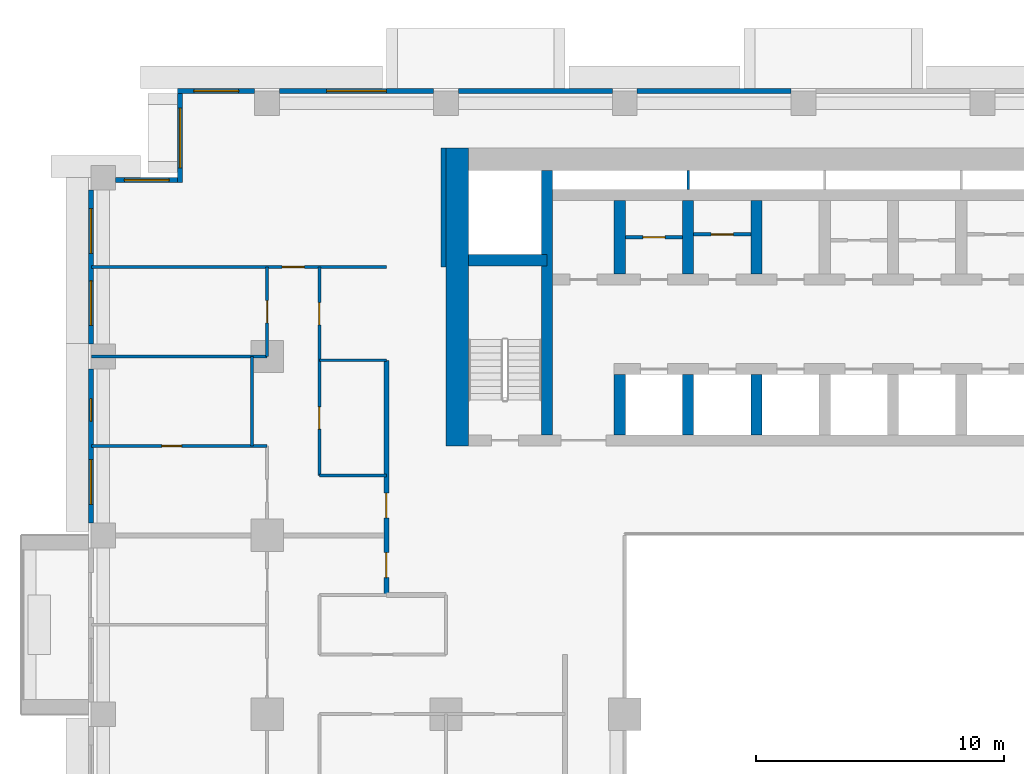
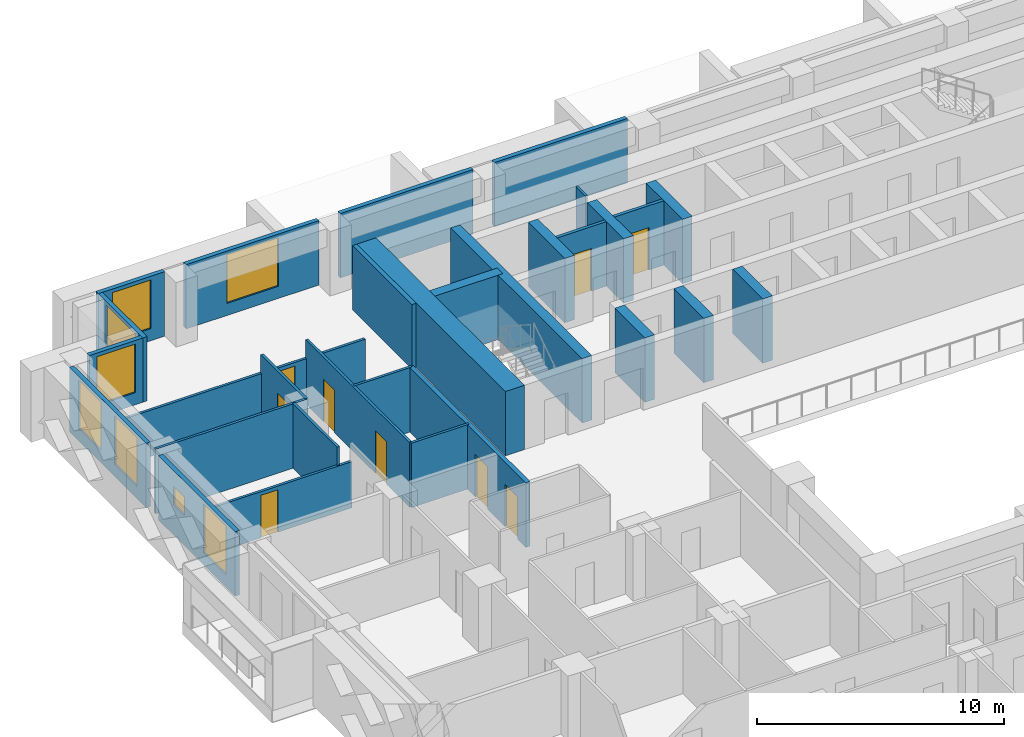
# One storey, part 9 of 16: 30 walls, 9 doors, 8 windows, 17 openings.
"""IFC4 building model written with IfcOpenShell, lengths in metres."""

from ifc_helpers import new_model, si_unit, direction, frame, frame_2d, origin, place, context, subcontext, project, spatial, rectangle, extrude, material, layer, layer_set, type_object, element, fill, save


model = new_model("IFC4")

# Units and contexts
model_context = context("Model", 3, precision=1e-05, world=origin(), true_north=direction((0.0, 1.0)))
body_context = subcontext(model_context, "Body", "Model", "MODEL_VIEW")
ifc_project = project(units=[si_unit("LENGTHUNIT", "METRE"), si_unit("AREAUNIT", "SQUARE_METRE"), si_unit("VOLUMEUNIT", "CUBIC_METRE"), si_unit("PLANEANGLEUNIT", "RADIAN"), si_unit("MASSUNIT", "GRAM", prefix="KILO")], contexts=[model_context])

# Site, building, storey
site_placement = place(None, origin())
site = spatial("IfcSite", under=ifc_project, at=site_placement, CompositionType="ELEMENT")
building_placement = place(site_placement, origin())
building = spatial("IfcBuilding", under=site, at=building_placement, Name="Saffron Iwan Residences", CompositionType="ELEMENT")
storey_placement = place(building_placement, frame((0.0, 0.0, 90.0)))
storey = spatial("IfcBuildingStorey", under=building, at=storey_placement, Name="L23", CompositionType="ELEMENT", Elevation=90.0)

# Wall, opening, door
ifc_material_1 = material(Name="Fire-rated plasterboard partition")
ifc_layer_1 = layer(ifc_material_1, 0.14990234375)
ifc_layer_set_1 = layer_set([ifc_layer_1], Name="Fire-rated plasterboard partition")
wall_type_1 = type_object("IfcWallType", Name="Core partition 150", PredefinedType="PARTITIONING", material=ifc_layer_set_1)
wall_1_placement = place(storey_placement, frame((36.02490234375, 74.39990234375, 0.0), z_axis=(0.0, 0.0, 1.0), x_axis=(1.0, 0.0, 0.0)))
wall_1 = element("IfcWall", 1, at=wall_1_placement, inside=storey, type_object=wall_type_1, Name="Core partition P01", PredefinedType="PARTITIONING", context=body_context, shape_type="SweptSolid", body=[
    extrude(rectangle(XDim=2.300048828125, YDim=0.14990234375, at=frame_2d((1.14990234375, 0.0))), origin(), (0.0, 0.0, 1.0), 3.179931640625),
])
opening_1_placement = place(wall_1_placement, frame((0.699951171875, 0.0, 0.0)))
opening_1 = element("IfcOpeningElement", 2, at=opening_1_placement, cuts=wall_1, Name="Opening SB", PredefinedType="OPENING", context=body_context, shape_type="SweptSolid", body=[
    extrude(rectangle(XDim=0.89990234375, YDim=2.10009765625, at=frame_2d((0.449951171875, 1.050048828125))), frame((0.0, 0.0849609375, 0.0), z_axis=(0.0, -1.0, 0.0), x_axis=(1.0, 0.0, 0.0)), (0.0, 0.0, 1.0), 0.169921875),
])
ifc_material_2 = material(Name="Steel fire door", Category="steel")
door_type_1 = type_object("IfcDoorType", Name="Store door 900", OperationType="NOTDEFINED", PredefinedType="DOOR", material=ifc_material_2)
door_1_placement = place(opening_1_placement, origin())
door_1 = element("IfcDoor", 3, at=door_1_placement, inside=storey, type_object=door_type_1, Name="Door Mop store", OperationType="SINGLE_SWING_LEFT", OverallHeight=2.10009765625, OverallWidth=0.89990234375, PredefinedType="DOOR", context=body_context, shape_type="SweptSolid", body=[
    extrude(rectangle(XDim=0.89990234375, YDim=2.10009765625, at=frame_2d((0.449951171875, 1.050048828125))), frame((0.0, 0.02490234375, 0.0), z_axis=(0.0, -1.0, 0.0), x_axis=(1.0, 0.0, 0.0)), (0.0, 0.0, 1.0), 0.050048828125),
])
fill(opening_1, door_1)

wall_2_placement = place(storey_placement, frame((38.77490234375, 74.51806640625, 0.0), z_axis=(0.0, 0.0, 1.0), x_axis=(1.0, 0.0, 0.0)))
wall_2 = element("IfcWall", 4, at=wall_2_placement, inside=storey, type_object=wall_type_1, Name="Core partition P02", PredefinedType="PARTITIONING", context=body_context, shape_type="SweptSolid", body=[
    extrude(rectangle(XDim=2.300048828125, YDim=0.14990234375, at=frame_2d((1.14990234375, 0.0))), origin(), (0.0, 0.0, 1.0), 3.179931640625),
])
opening_2_placement = place(wall_2_placement, frame((0.699951171875, 0.0, 0.0)))
opening_2 = element("IfcOpeningElement", 5, at=opening_2_placement, cuts=wall_2, Name="Opening SB", PredefinedType="OPENING", context=body_context, shape_type="SweptSolid", body=[
    extrude(rectangle(XDim=0.89990234375, YDim=2.10009765625, at=frame_2d((0.449951171875, 1.050048828125))), frame((0.0, 0.0849609375, 0.0), z_axis=(0.0, -1.0, 0.0), x_axis=(1.0, 0.0, 0.0)), (0.0, 0.0, 1.0), 0.169921875),
])
door_2_placement = place(opening_2_placement, origin())
door_2 = element("IfcDoor", 6, at=door_2_placement, inside=storey, type_object=door_type_1, Name="Door Spares store", OperationType="SINGLE_SWING_LEFT", OverallHeight=2.10009765625, OverallWidth=0.89990234375, PredefinedType="DOOR", context=body_context, shape_type="SweptSolid", body=[
    extrude(rectangle(XDim=0.89990234375, YDim=2.10009765625, at=frame_2d((0.449951171875, 1.050048828125))), frame((0.0, 0.02490234375, 0.0), z_axis=(0.0, -1.0, 0.0), x_axis=(1.0, 0.0, 0.0)), (0.0, 0.0, 1.0), 0.050048828125),
])
fill(opening_2, door_2)

# Walls
ifc_material_3 = material(Name="Concrete C40/50", Category="concrete")
ifc_layer_2 = layer(ifc_material_3, 0.199951171875)
ifc_layer_set_2 = layer_set([ifc_layer_2], Name="Concrete C40/50")
wall_type_2 = type_object("IfcWallType", Name="EXTERNAL WALL 200", PredefinedType="SOLIDWALL", material=ifc_layer_set_2)
for number, where, z_axis, x_axis, name in (
    (7, (42.699951171875, 80.300048828125, 0.0), (0.0, 0.0, 1.0), (-1.0, 0.0, 0.0), "External wall L23 F5.6"),
    (8, (35.5, 80.300048828125, 0.0), (0.0, 0.0, 1.0), (-1.0, 0.0, 0.0), "External wall L23 F5.7"),
):
    element("IfcWall", number, at=place(storey_placement, frame(where, z_axis=z_axis, x_axis=x_axis)), inside=storey, type_object=wall_type_2, Name=name, PredefinedType="SOLIDWALL", context=body_context, shape_type="SweptSolid", body=[
        extrude(rectangle(XDim=6.199951171875, YDim=0.199951171875, at=frame_2d((3.10009765625, 0.0))), origin(), (0.0, 0.0, 1.0), 3.179931640625),
    ])

# Wall, opening, window
wall_3_placement = place(storey_placement, frame((28.300048828125, 80.300048828125, 0.0), z_axis=(0.0, 0.0, 1.0), x_axis=(-1.0, 0.0, 0.0)))
wall_3 = element("IfcWall", 9, at=wall_3_placement, inside=storey, type_object=wall_type_2, Name="External wall L23 F5.8", PredefinedType="SOLIDWALL", context=body_context, shape_type="SweptSolid", body=[
    extrude(rectangle(XDim=6.199951171875, YDim=0.199951171875, at=frame_2d((3.10009765625, 0.0))), origin(), (0.0, 0.0, 1.0), 3.179931640625),
])
opening_3_placement = place(wall_3_placement, frame((1.89990234375, 0.0, 0.60009765625)))
opening_3 = element("IfcOpeningElement", 10, at=opening_3_placement, cuts=wall_3, Name="Opening W1", PredefinedType="OPENING", context=body_context, shape_type="SweptSolid", body=[
    extrude(rectangle(XDim=2.39990234375, YDim=2.39990234375, at=frame_2d((1.199951171875, 1.199951171875))), frame((0.0, 0.10986328125, 0.0), z_axis=(0.0, -1.0, 0.0), x_axis=(1.0, 0.0, 0.0)), (0.0, 0.0, 1.0), 0.219970703125),
])
ifc_material_4 = material(Name="Clear glass, laminated double glazed", Category="glass")
window_type_1 = type_object("IfcWindowType", Name="WINDOW 2400 x 2400", PartitioningType="DOUBLE_PANEL_VERTICAL", PredefinedType="WINDOW", material=ifc_material_4)
window_1_placement = place(opening_3_placement, origin())
window_1 = element("IfcWindow", 11, at=window_1_placement, inside=storey, type_object=window_type_1, Name="Window L23 F5.0", OverallHeight=2.39990234375, OverallWidth=2.39990234375, PartitioningType="DOUBLE_PANEL_VERTICAL", PredefinedType="WINDOW", context=body_context, shape_type="SweptSolid", body=[
    extrude(rectangle(XDim=2.39990234375, YDim=2.39990234375, at=frame_2d((1.199951171875, 1.199951171875))), frame((0.0, 0.030029296875, 0.0), z_axis=(0.0, -1.0, 0.0), x_axis=(1.0, 0.0, 0.0)), (0.0, 0.0, 1.0), 0.06005859375),
])
fill(opening_3, window_1)

wall_4_placement = place(storey_placement, frame((21.10009765625, 80.300048828125, 0.0), z_axis=(0.0, 0.0, 1.0), x_axis=(-1.0, 0.0, 0.0)))
wall_4 = element("IfcWall", 12, at=wall_4_placement, inside=storey, type_object=wall_type_2, Name="External wall L23 F5.9", PredefinedType="SOLIDWALL", context=body_context, shape_type="SweptSolid", body=[
    extrude(rectangle(XDim=3.10009765625, YDim=0.199951171875, at=frame_2d((1.550048828125, 0.0))), origin(), (0.0, 0.0, 1.0), 3.179931640625),
])
opening_4_placement = place(wall_4_placement, frame((0.64990234375, 0.0, 0.60009765625)))
opening_4 = element("IfcOpeningElement", 13, at=opening_4_placement, cuts=wall_4, Name="Opening W8", PredefinedType="OPENING", context=body_context, shape_type="SweptSolid", body=[
    extrude(rectangle(XDim=1.800048828125, YDim=2.39990234375, at=frame_2d((0.89990234375, 1.199951171875))), frame((0.0, 0.10986328125, 0.0), z_axis=(0.0, -1.0, 0.0), x_axis=(1.0, 0.0, 0.0)), (0.0, 0.0, 1.0), 0.219970703125),
])
window_type_2 = type_object("IfcWindowType", Name="WINDOW 1800 x 2400", PartitioningType="DOUBLE_PANEL_VERTICAL", PredefinedType="WINDOW", material=ifc_material_4)
window_2_placement = place(opening_4_placement, origin())
window_2 = element("IfcWindow", 14, at=window_2_placement, inside=storey, type_object=window_type_2, Name="Window L23 F5.0", OverallHeight=2.39990234375, OverallWidth=1.800048828125, PartitioningType="DOUBLE_PANEL_VERTICAL", PredefinedType="WINDOW", context=body_context, shape_type="SweptSolid", body=[
    extrude(rectangle(XDim=1.800048828125, YDim=2.39990234375, at=frame_2d((0.89990234375, 1.199951171875))), frame((0.0, 0.030029296875, 0.0), z_axis=(0.0, -1.0, 0.0), x_axis=(1.0, 0.0, 0.0)), (0.0, 0.0, 1.0), 0.06005859375),
])
fill(opening_4, window_2)

wall_5_placement = place(storey_placement, frame((18.10009765625, 80.199951171875, 0.0), z_axis=(0.0, 0.0, 1.0), x_axis=(0.0, -1.0, 0.0)))
wall_5 = element("IfcWall", 15, at=wall_5_placement, inside=storey, type_object=wall_type_2, Name="External wall L23 F6.0", PredefinedType="SOLIDWALL", context=body_context, shape_type="SweptSolid", body=[
    extrude(rectangle(XDim=3.599853515625, YDim=0.199951171875, at=frame_2d((1.7998046875, 0.0))), origin(), (0.0, 0.0, 1.0), 3.179931640625),
])
opening_5_placement = place(wall_5_placement, frame((0.60009765625, 0.0, 0.60009765625)))
opening_5 = element("IfcOpeningElement", 16, at=opening_5_placement, cuts=wall_5, Name="Opening W1", PredefinedType="OPENING", context=body_context, shape_type="SweptSolid", body=[
    extrude(rectangle(XDim=2.39990234375, YDim=2.39990234375, at=frame_2d((1.199951171875, 1.199951171875))), frame((0.0, 0.10986328125, 0.0), z_axis=(0.0, -1.0, 0.0), x_axis=(1.0, 0.0, 0.0)), (0.0, 0.0, 1.0), 0.219970703125),
])
window_3_placement = place(opening_5_placement, origin())
window_3 = element("IfcWindow", 17, at=window_3_placement, inside=storey, type_object=window_type_1, Name="Window L23 F6.0", OverallHeight=2.39990234375, OverallWidth=2.39990234375, PartitioningType="DOUBLE_PANEL_VERTICAL", PredefinedType="WINDOW", context=body_context, shape_type="SweptSolid", body=[
    extrude(rectangle(XDim=2.39990234375, YDim=2.39990234375, at=frame_2d((1.199951171875, 1.199951171875))), frame((0.0, 0.030029296875, 0.0), z_axis=(0.0, -1.0, 0.0), x_axis=(1.0, 0.0, 0.0)), (0.0, 0.0, 1.0), 0.06005859375),
])
fill(opening_5, window_3)

wall_6_placement = place(storey_placement, frame((18.0, 76.699951171875, 0.0), z_axis=(0.0, 0.0, 1.0), x_axis=(-1.0, 0.0, 0.0)))
wall_6 = element("IfcWall", 18, at=wall_6_placement, inside=storey, type_object=wall_type_2, Name="External wall L23 F7.0", PredefinedType="SOLIDWALL", context=body_context, shape_type="SweptSolid", body=[
    extrude(rectangle(XDim=2.5, YDim=0.199951171875, at=frame_2d((1.25, 0.0))), origin(), (0.0, 0.0, 1.0), 3.179931640625),
])
opening_6_placement = place(wall_6_placement, frame((0.35009765625, 0.0, 0.60009765625)))
opening_6 = element("IfcOpeningElement", 19, at=opening_6_placement, cuts=wall_6, Name="Opening W8", PredefinedType="OPENING", context=body_context, shape_type="SweptSolid", body=[
    extrude(rectangle(XDim=1.800048828125, YDim=2.39990234375, at=frame_2d((0.89990234375, 1.199951171875))), frame((0.0, 0.10986328125, 0.0), z_axis=(0.0, -1.0, 0.0), x_axis=(1.0, 0.0, 0.0)), (0.0, 0.0, 1.0), 0.219970703125),
])
window_4_placement = place(opening_6_placement, origin())
window_4 = element("IfcWindow", 20, at=window_4_placement, inside=storey, type_object=window_type_2, Name="Window L23 F7.0", OverallHeight=2.39990234375, OverallWidth=1.800048828125, PartitioningType="DOUBLE_PANEL_VERTICAL", PredefinedType="WINDOW", context=body_context, shape_type="SweptSolid", body=[
    extrude(rectangle(XDim=1.800048828125, YDim=2.39990234375, at=frame_2d((0.89990234375, 1.199951171875))), frame((0.0, 0.030029296875, 0.0), z_axis=(0.0, -1.0, 0.0), x_axis=(1.0, 0.0, 0.0)), (0.0, 0.0, 1.0), 0.06005859375),
])
fill(opening_6, window_4)

# Wall, openings, windows
wall_7_placement = place(storey_placement, frame((14.5, 76.300048828125, 0.0), z_axis=(0.0, 0.0, 1.0), x_axis=(0.0, -1.0, 0.0)))
wall_7 = element("IfcWall", 21, at=wall_7_placement, inside=storey, type_object=wall_type_2, Name="External wall L23 F8.0", PredefinedType="SOLIDWALL", context=body_context, shape_type="SweptSolid", body=[
    extrude(rectangle(XDim=6.199951171875, YDim=0.199951171875, at=frame_2d((3.10009765625, 0.0))), origin(), (0.0, 0.0, 1.0), 3.179931640625),
])
opening_7_placement = place(wall_7_placement, frame((3.64990234375, 0.0, 0.60009765625)))
opening_7 = element("IfcOpeningElement", 22, at=opening_7_placement, cuts=wall_7, Name="Opening W8", PredefinedType="OPENING", context=body_context, shape_type="SweptSolid", body=[
    extrude(rectangle(XDim=1.800048828125, YDim=2.39990234375, at=frame_2d((0.89990234375, 1.199951171875))), frame((0.0, 0.10986328125, 0.0), z_axis=(0.0, -1.0, 0.0), x_axis=(1.0, 0.0, 0.0)), (0.0, 0.0, 1.0), 0.219970703125),
])
opening_8_placement = place(wall_7_placement, frame((0.75, 0.0, 0.60009765625)))
opening_8 = element("IfcOpeningElement", 23, at=opening_8_placement, cuts=wall_7, Name="Opening W8", PredefinedType="OPENING", context=body_context, shape_type="SweptSolid", body=[
    extrude(rectangle(XDim=1.800048828125, YDim=2.39990234375, at=frame_2d((0.89990234375, 1.199951171875))), frame((0.0, 0.10986328125, 0.0), z_axis=(0.0, -1.0, 0.0), x_axis=(1.0, 0.0, 0.0)), (0.0, 0.0, 1.0), 0.219970703125),
])
window_5_placement = place(opening_7_placement, origin())
window_5 = element("IfcWindow", 24, at=window_5_placement, inside=storey, type_object=window_type_2, Name="Window L23 F8.0", OverallHeight=2.39990234375, OverallWidth=1.800048828125, PartitioningType="DOUBLE_PANEL_VERTICAL", PredefinedType="WINDOW", context=body_context, shape_type="SweptSolid", body=[
    extrude(rectangle(XDim=1.800048828125, YDim=2.39990234375, at=frame_2d((0.89990234375, 1.199951171875))), frame((0.0, 0.030029296875, 0.0), z_axis=(0.0, -1.0, 0.0), x_axis=(1.0, 0.0, 0.0)), (0.0, 0.0, 1.0), 0.06005859375),
])
fill(opening_7, window_5)
window_6_placement = place(opening_8_placement, origin())
window_6 = element("IfcWindow", 25, at=window_6_placement, inside=storey, type_object=window_type_2, Name="Window L23 F8.1", OverallHeight=2.39990234375, OverallWidth=1.800048828125, PartitioningType="DOUBLE_PANEL_VERTICAL", PredefinedType="WINDOW", context=body_context, shape_type="SweptSolid", body=[
    extrude(rectangle(XDim=1.800048828125, YDim=2.39990234375, at=frame_2d((0.89990234375, 1.199951171875))), frame((0.0, 0.030029296875, 0.0), z_axis=(0.0, -1.0, 0.0), x_axis=(1.0, 0.0, 0.0)), (0.0, 0.0, 1.0), 0.06005859375),
])
fill(opening_8, window_6)

wall_8_placement = place(storey_placement, frame((14.5, 69.10009765625, 0.0), z_axis=(0.0, 0.0, 1.0), x_axis=(0.0, -1.0, 0.0)))
wall_8 = element("IfcWall", 26, at=wall_8_placement, inside=storey, type_object=wall_type_2, Name="External wall L23 F8.1", PredefinedType="SOLIDWALL", context=body_context, shape_type="SweptSolid", body=[
    extrude(rectangle(XDim=6.2001953125, YDim=0.199951171875, at=frame_2d((3.10009765625, 0.0))), origin(), (0.0, 0.0, 1.0), 3.179931640625),
])
opening_9_placement = place(wall_8_placement, frame((3.64990234375, 0.0, 0.60009765625)))
opening_9 = element("IfcOpeningElement", 27, at=opening_9_placement, cuts=wall_8, Name="Opening W8", PredefinedType="OPENING", context=body_context, shape_type="SweptSolid", body=[
    extrude(rectangle(XDim=1.800048828125, YDim=2.39990234375, at=frame_2d((0.89990234375, 1.199951171875))), frame((0.0, 0.10986328125, 0.0), z_axis=(0.0, -1.0, 0.0), x_axis=(1.0, 0.0, 0.0)), (0.0, 0.0, 1.0), 0.219970703125),
])
opening_10_placement = place(wall_8_placement, frame((1.199951171875, 0.0, 1.5)))
opening_10 = element("IfcOpeningElement", 28, at=opening_10_placement, cuts=wall_8, Name="Opening W6", PredefinedType="OPENING", context=body_context, shape_type="SweptSolid", body=[
    extrude(rectangle(XDim=0.89990234375, YDim=0.89990234375, at=frame_2d((0.449951171875, 0.449951171875))), frame((0.0, 0.10986328125, 0.0), z_axis=(0.0, -1.0, 0.0), x_axis=(1.0, 0.0, 0.0)), (0.0, 0.0, 1.0), 0.219970703125),
])
window_7_placement = place(opening_9_placement, origin())
window_7 = element("IfcWindow", 29, at=window_7_placement, inside=storey, type_object=window_type_2, Name="Window L23 F8.0", OverallHeight=2.39990234375, OverallWidth=1.800048828125, PartitioningType="DOUBLE_PANEL_VERTICAL", PredefinedType="WINDOW", context=body_context, shape_type="SweptSolid", body=[
    extrude(rectangle(XDim=1.800048828125, YDim=2.39990234375, at=frame_2d((0.89990234375, 1.199951171875))), frame((0.0, 0.030029296875, 0.0), z_axis=(0.0, -1.0, 0.0), x_axis=(1.0, 0.0, 0.0)), (0.0, 0.0, 1.0), 0.06005859375),
])
fill(opening_9, window_7)
window_type_3 = type_object("IfcWindowType", Name="WINDOW 900 x 900 BATH", PartitioningType="SINGLE_PANEL", PredefinedType="WINDOW", material=ifc_material_4)
window_8_placement = place(opening_10_placement, origin())
window_8 = element("IfcWindow", 30, at=window_8_placement, inside=storey, type_object=window_type_3, Name="Window L23 F8.1", OverallHeight=0.89990234375, OverallWidth=0.89990234375, PartitioningType="SINGLE_PANEL", PredefinedType="WINDOW", context=body_context, shape_type="SweptSolid", body=[
    extrude(rectangle(XDim=0.89990234375, YDim=0.89990234375, at=frame_2d((0.449951171875, 0.449951171875))), frame((0.0, 0.030029296875, 0.0), z_axis=(0.0, -1.0, 0.0), x_axis=(1.0, 0.0, 0.0)), (0.0, 0.0, 1.0), 0.06005859375),
])
fill(opening_10, window_8)

# Wall
ifc_material_5 = material(Name="Gypsum board partition")
ifc_layer_3 = layer(ifc_material_5, 0.1201171875)
ifc_layer_set_3 = layer_set([ifc_layer_3], Name="Gypsum board partition")
wall_type_3 = type_object("IfcWallType", Name="Flat partition 120", PredefinedType="PARTITIONING", material=ifc_layer_set_3)
wall_9_placement = place(storey_placement, frame((23.699951171875, 64.800048828125, 0.0), z_axis=(0.0, 0.0, 1.0), x_axis=(1.0, 0.0, 0.0)))
element("IfcWall", 31, at=wall_9_placement, inside=storey, type_object=wall_type_3, Name="W-L23-PART-h64.8-23.7", PredefinedType="PARTITIONING", context=body_context, shape_type="SweptSolid", body=[
    extrude(rectangle(XDim=2.699951171875, YDim=0.1201171875, at=frame_2d((1.35009765625, 0.0))), origin(), (0.0, 0.0, 1.0), 3.179931640625),
])

# Wall, opening, door
wall_10_placement = place(storey_placement, frame((14.52490234375, 66.0, 0.0), z_axis=(0.0, 0.0, 1.0), x_axis=(1.0, 0.0, 0.0)))
wall_10 = element("IfcWall", 32, at=wall_10_placement, inside=storey, type_object=wall_type_3, Name="W-L23-PART-h66-14.525", PredefinedType="PARTITIONING", context=body_context, shape_type="SweptSolid", body=[
    extrude(rectangle(XDim=7.0751953125, YDim=0.1201171875, at=frame_2d((3.53759765625, 0.0))), origin(), (0.0, 0.0, 1.0), 2.280029296875),
])
opening_11_placement = place(wall_10_placement, frame((2.83740234375, 0.0, 0.0)))
opening_11 = element("IfcOpeningElement", 33, at=opening_11_placement, cuts=wall_10, Name="Opening FD3", PredefinedType="OPENING", context=body_context, shape_type="SweptSolid", body=[
    extrude(rectangle(XDim=0.800048828125, YDim=2.10009765625, at=frame_2d((0.39990234375, 1.050048828125))), frame((0.0, 0.070068359375, 0.0), z_axis=(0.0, -1.0, 0.0), x_axis=(1.0, 0.0, 0.0)), (0.0, 0.0, 1.0), 0.14013671875),
])
ifc_material_6 = material(Name="Timber door", Category="wood")
door_type_2 = type_object("IfcDoorType", Name="Bathroom door 800", OperationType="NOTDEFINED", PredefinedType="DOOR", material=ifc_material_6)
door_3_placement = place(opening_11_placement, origin())
door_3 = element("IfcDoor", 34, at=door_3_placement, inside=storey, type_object=door_type_2, Name="Door L23-029", OperationType="SINGLE_SWING_RIGHT", OverallHeight=2.10009765625, OverallWidth=0.800048828125, PredefinedType="DOOR", context=body_context, shape_type="SweptSolid", body=[
    extrude(rectangle(XDim=0.800048828125, YDim=2.10009765625, at=frame_2d((0.39990234375, 1.050048828125))), frame((0.0, 0.02490234375, 0.0), z_axis=(0.0, -1.0, 0.0), x_axis=(1.0, 0.0, 0.0)), (0.0, 0.0, 1.0), 0.050048828125),
])
fill(opening_11, door_3)

# Walls
wall_11_placement = place(storey_placement, frame((23.699951171875, 69.449951171875, 0.0), z_axis=(0.0, 0.0, 1.0), x_axis=(1.0, 0.0, 0.0)))
element("IfcWall", 35, at=wall_11_placement, inside=storey, type_object=wall_type_3, Name="W-L23-PART-h69.45-23.7", PredefinedType="PARTITIONING", context=body_context, shape_type="SweptSolid", body=[
    extrude(rectangle(XDim=2.699951171875, YDim=0.1201171875, at=frame_2d((1.35009765625, 0.0))), origin(), (0.0, 0.0, 1.0), 3.179931640625),
])
wall_12_placement = place(storey_placement, frame((14.52490234375, 69.60009765625, 0.0), z_axis=(0.0, 0.0, 1.0), x_axis=(1.0, 0.0, 0.0)))
element("IfcWall", 36, at=wall_12_placement, inside=storey, type_object=wall_type_3, Name="W-L23-PART-h69.6-14.525", PredefinedType="PARTITIONING", context=body_context, shape_type="SweptSolid", body=[
    extrude(rectangle(XDim=7.0751953125, YDim=0.1201171875, at=frame_2d((3.53759765625, 0.0))), origin(), (0.0, 0.0, 1.0), 3.179931640625),
])

# Wall, opening, door
wall_13_placement = place(storey_placement, frame((14.52490234375, 73.199951171875, 0.0), z_axis=(0.0, 0.0, 1.0), x_axis=(1.0, 0.0, 0.0)))
wall_13 = element("IfcWall", 37, at=wall_13_placement, inside=storey, type_object=wall_type_3, Name="W-L23-PART-h73.2-14.525", PredefinedType="PARTITIONING", context=body_context, shape_type="SweptSolid", body=[
    extrude(rectangle(XDim=11.875, YDim=0.1201171875, at=frame_2d((5.9375, 0.0))), origin(), (0.0, 0.0, 1.0), 2.280029296875),
])
opening_12_placement = place(wall_13_placement, frame((7.675048828125, 0.0, 0.0)))
opening_12 = element("IfcOpeningElement", 38, at=opening_12_placement, cuts=wall_13, Name="Opening FD2", PredefinedType="OPENING", context=body_context, shape_type="SweptSolid", body=[
    extrude(rectangle(XDim=0.89990234375, YDim=2.10009765625, at=frame_2d((0.449951171875, 1.050048828125))), frame((0.0, 0.070068359375, 0.0), z_axis=(0.0, -1.0, 0.0), x_axis=(1.0, 0.0, 0.0)), (0.0, 0.0, 1.0), 0.14013671875),
])
door_type_3 = type_object("IfcDoorType", Name="Flat door 900", OperationType="NOTDEFINED", PredefinedType="DOOR", material=ifc_material_6)
door_4_placement = place(opening_12_placement, origin())
door_4 = element("IfcDoor", 39, at=door_4_placement, inside=storey, type_object=door_type_3, Name="Door L23-031", OperationType="SINGLE_SWING_LEFT", OverallHeight=2.10009765625, OverallWidth=0.89990234375, PredefinedType="DOOR", context=body_context, shape_type="SweptSolid", body=[
    extrude(rectangle(XDim=0.89990234375, YDim=2.10009765625, at=frame_2d((0.449951171875, 1.050048828125))), frame((0.0, 0.02490234375, 0.0), z_axis=(0.0, -1.0, 0.0), x_axis=(1.0, 0.0, 0.0)), (0.0, 0.0, 1.0), 0.050048828125),
])
fill(opening_12, door_4)

# Wall
wall_14_placement = place(storey_placement, frame((21.0, 66.0, 0.0), z_axis=(0.0, 0.0, 1.0), x_axis=(0.0, 1.0, 0.0)))
element("IfcWall", 40, at=wall_14_placement, inside=storey, type_object=wall_type_3, Name="W-L23-PART-v21-66", PredefinedType="PARTITIONING", context=body_context, shape_type="SweptSolid", body=[
    extrude(rectangle(XDim=3.60009765625, YDim=0.1201171875, at=frame_2d((1.800048828125, 0.0))), origin(), (0.0, 0.0, 1.0), 3.179931640625),
])

# Wall, opening, door
wall_15_placement = place(storey_placement, frame((21.60009765625, 69.60009765625, 0.0), z_axis=(0.0, 0.0, 1.0), x_axis=(0.0, 1.0, 0.0)))
wall_15 = element("IfcWall", 41, at=wall_15_placement, inside=storey, type_object=wall_type_3, Name="W-L23-PART-v21.6-69.6", PredefinedType="PARTITIONING", context=body_context, shape_type="SweptSolid", body=[
    extrude(rectangle(XDim=3.599853515625, YDim=0.1201171875, at=frame_2d((1.7998046875, 0.0))), origin(), (0.0, 0.0, 1.0), 3.179931640625),
])
opening_13_placement = place(wall_15_placement, frame((1.35009765625, 0.0, 0.0)))
opening_13 = element("IfcOpeningElement", 42, at=opening_13_placement, cuts=wall_15, Name="Opening FD2", PredefinedType="OPENING", context=body_context, shape_type="SweptSolid", body=[
    extrude(rectangle(XDim=0.89990234375, YDim=2.10009765625, at=frame_2d((0.449951171875, 1.050048828125))), frame((0.0, 0.070068359375, 0.0), z_axis=(0.0, -1.0, 0.0), x_axis=(1.0, 0.0, 0.0)), (0.0, 0.0, 1.0), 0.14013671875),
])
door_5_placement = place(opening_13_placement, origin())
door_5 = element("IfcDoor", 43, at=door_5_placement, inside=storey, type_object=door_type_3, Name="Door L23-030", OperationType="SINGLE_SWING_LEFT", OverallHeight=2.10009765625, OverallWidth=0.89990234375, PredefinedType="DOOR", context=body_context, shape_type="SweptSolid", body=[
    extrude(rectangle(XDim=0.89990234375, YDim=2.10009765625, at=frame_2d((0.449951171875, 1.050048828125))), frame((0.0, 0.02490234375, 0.0), z_axis=(0.0, -1.0, 0.0), x_axis=(1.0, 0.0, 0.0)), (0.0, 0.0, 1.0), 0.050048828125),
])
fill(opening_13, door_5)

# Wall, openings, doors
wall_16_placement = place(storey_placement, frame((23.699951171875, 64.800048828125, 0.0), z_axis=(0.0, 0.0, 1.0), x_axis=(0.0, 1.0, 0.0)))
wall_16 = element("IfcWall", 44, at=wall_16_placement, inside=storey, type_object=wall_type_3, Name="W-L23-PART-v23.7-64.8", PredefinedType="PARTITIONING", context=body_context, shape_type="SweptSolid", body=[
    extrude(rectangle(XDim=8.39990234375, YDim=0.1201171875, at=frame_2d((4.199951171875, 0.0))), origin(), (0.0, 0.0, 1.0), 3.179931640625),
])
opening_14_placement = place(wall_16_placement, frame((1.875, 0.0, 0.0)))
opening_14 = element("IfcOpeningElement", 45, at=opening_14_placement, cuts=wall_16, Name="Opening FD2", PredefinedType="OPENING", context=body_context, shape_type="SweptSolid", body=[
    extrude(rectangle(XDim=0.89990234375, YDim=2.10009765625, at=frame_2d((0.449951171875, 1.050048828125))), frame((0.0, 0.070068359375, 0.0), z_axis=(0.0, -1.0, 0.0), x_axis=(1.0, 0.0, 0.0)), (0.0, 0.0, 1.0), 0.14013671875),
])
opening_15_placement = place(wall_16_placement, frame((6.074951171875, 0.0, 0.0)))
opening_15 = element("IfcOpeningElement", 46, at=opening_15_placement, cuts=wall_16, Name="Opening FD2", PredefinedType="OPENING", context=body_context, shape_type="SweptSolid", body=[
    extrude(rectangle(XDim=0.89990234375, YDim=2.10009765625, at=frame_2d((0.449951171875, 1.050048828125))), frame((0.0, 0.070068359375, 0.0), z_axis=(0.0, -1.0, 0.0), x_axis=(1.0, 0.0, 0.0)), (0.0, 0.0, 1.0), 0.14013671875),
])
door_6_placement = place(opening_14_placement, origin())
door_6 = element("IfcDoor", 47, at=door_6_placement, inside=storey, type_object=door_type_3, Name="Door L23-032", OperationType="SINGLE_SWING_RIGHT", OverallHeight=2.10009765625, OverallWidth=0.89990234375, PredefinedType="DOOR", context=body_context, shape_type="SweptSolid", body=[
    extrude(rectangle(XDim=0.89990234375, YDim=2.10009765625, at=frame_2d((0.449951171875, 1.050048828125))), frame((0.0, 0.02490234375, 0.0), z_axis=(0.0, -1.0, 0.0), x_axis=(1.0, 0.0, 0.0)), (0.0, 0.0, 1.0), 0.050048828125),
])
fill(opening_14, door_6)
door_7_placement = place(opening_15_placement, origin())
door_7 = element("IfcDoor", 48, at=door_7_placement, inside=storey, type_object=door_type_3, Name="Door L23-033", OperationType="SINGLE_SWING_LEFT", OverallHeight=2.10009765625, OverallWidth=0.89990234375, PredefinedType="DOOR", context=body_context, shape_type="SweptSolid", body=[
    extrude(rectangle(XDim=0.89990234375, YDim=2.10009765625, at=frame_2d((0.449951171875, 1.050048828125))), frame((0.0, 0.02490234375, 0.0), z_axis=(0.0, -1.0, 0.0), x_axis=(1.0, 0.0, 0.0)), (0.0, 0.0, 1.0), 0.050048828125),
])
fill(opening_15, door_7)

ifc_material_7 = material(Name="Fire-rated gypsum board wall")
ifc_layer_4 = layer(ifc_material_7, 0.199951171875)
ifc_layer_set_4 = layer_set([ifc_layer_4], Name="Fire-rated gypsum board wall")
wall_type_4 = type_object("IfcWallType", Name="Gallery wall 200", PredefinedType="SOLIDWALL", material=ifc_layer_set_4)
wall_17_placement = place(storey_placement, frame((26.39990234375, 60.0, 0.0), z_axis=(0.0, 0.0, 1.0), x_axis=(0.0, 1.0, 0.0)))
wall_17 = element("IfcWall", 49, at=wall_17_placement, inside=storey, type_object=wall_type_4, Name="W-L23-CORR-v26.4-60", PredefinedType="SOLIDWALL", context=body_context, shape_type="SweptSolid", body=[
    extrude(rectangle(XDim=9.449951171875, YDim=0.199951171875, at=frame_2d((4.72509765625, 0.0))), origin(), (0.0, 0.0, 1.0), 3.179931640625),
])
opening_16_placement = place(wall_17_placement, frame((0.699951171875, 0.0, 0.0)))
opening_16 = element("IfcOpeningElement", 50, at=opening_16_placement, cuts=wall_17, Name="Opening FD1", PredefinedType="OPENING", context=body_context, shape_type="SweptSolid", body=[
    extrude(rectangle(XDim=1.0, YDim=2.10009765625, at=frame_2d((0.5, 1.050048828125))), frame((0.0, 0.10986328125, 0.0), z_axis=(0.0, -1.0, 0.0), x_axis=(1.0, 0.0, 0.0)), (0.0, 0.0, 1.0), 0.219970703125),
])
opening_17_placement = place(wall_17_placement, frame((3.10009765625, 0.0, 0.0)))
opening_17 = element("IfcOpeningElement", 51, at=opening_17_placement, cuts=wall_17, Name="Opening FD1", PredefinedType="OPENING", context=body_context, shape_type="SweptSolid", body=[
    extrude(rectangle(XDim=1.0, YDim=2.10009765625, at=frame_2d((0.5, 1.050048828125))), frame((0.0, 0.10986328125, 0.0), z_axis=(0.0, -1.0, 0.0), x_axis=(1.0, 0.0, 0.0)), (0.0, 0.0, 1.0), 0.219970703125),
])
ifc_material_8 = material(Name="Fire-rated timber door", Category="wood")
door_type_4 = type_object("IfcDoorType", Name="FD30S flat entrance door 1000", OperationType="NOTDEFINED", PredefinedType="DOOR", material=ifc_material_8)
door_8_placement = place(opening_16_placement, origin())
door_8 = element("IfcDoor", 52, at=door_8_placement, inside=storey, type_object=door_type_4, Name="Door L23-013", OperationType="SINGLE_SWING_LEFT", OverallHeight=2.10009765625, OverallWidth=1.0, PredefinedType="DOOR", context=body_context, shape_type="SweptSolid", body=[
    extrude(rectangle(XDim=1.0, YDim=2.10009765625, at=frame_2d((0.5, 1.050048828125))), frame((0.0, 0.02490234375, 0.0), z_axis=(0.0, -1.0, 0.0), x_axis=(1.0, 0.0, 0.0)), (0.0, 0.0, 1.0), 0.050048828125),
])
fill(opening_16, door_8)
door_9_placement = place(opening_17_placement, origin())
door_9 = element("IfcDoor", 53, at=door_9_placement, inside=storey, type_object=door_type_4, Name="Door L23-027", OperationType="SINGLE_SWING_LEFT", OverallHeight=2.10009765625, OverallWidth=1.0, PredefinedType="DOOR", context=body_context, shape_type="SweptSolid", body=[
    extrude(rectangle(XDim=1.0, YDim=2.10009765625, at=frame_2d((0.5, 1.050048828125))), frame((0.0, 0.02490234375, 0.0), z_axis=(0.0, -1.0, 0.0), x_axis=(1.0, 0.0, 0.0)), (0.0, 0.0, 1.0), 0.050048828125),
])
fill(opening_17, door_9)

# Walls
wall_18_placement = place(storey_placement, frame((28.699951171875, 73.199951171875, 0.0), z_axis=(0.0, 0.0, 1.0), x_axis=(0.0, 1.0, 0.0)))
element("IfcWall", 54, at=wall_18_placement, inside=storey, type_object=wall_type_4, Name="W-L23-CORR-v28.8-73.2", PredefinedType="SOLIDWALL", context=body_context, shape_type="SweptSolid", body=[
    extrude(rectangle(XDim=4.800048828125, YDim=0.199951171875, at=frame_2d((2.39990234375, 0.0))), origin(), (0.0, 0.0, 1.0), 3.179931640625),
])
ifc_layer_5 = layer(ifc_material_1, 0.10009765625)
ifc_layer_set_5 = layer_set([ifc_layer_5], Name="Fire-rated plasterboard partition")
wall_type_5 = type_object("IfcWallType", Name="Riser partition 100", PredefinedType="PARTITIONING", material=ifc_layer_set_5)
wall_19_placement = place(storey_placement, frame((38.550048828125, 76.324951171875, 0.0), z_axis=(0.0, 0.0, 1.0), x_axis=(0.0, 1.0, 0.0)))
element("IfcWall", 55, at=wall_19_placement, inside=storey, type_object=wall_type_5, Name="Core partition P06", PredefinedType="PARTITIONING", context=body_context, shape_type="SweptSolid", body=[
    extrude(rectangle(XDim=0.775146484375, YDim=0.10009765625, at=frame_2d((0.3876953125, 0.0))), origin(), (0.0, 0.0, 1.0), 3.179931640625),
])
ifc_material_9 = material(Name="Concrete C60/75", Category="concrete")
ifc_layer_6 = layer(ifc_material_9, 0.449951171875)
ifc_layer_set_6 = layer_set([ifc_layer_6], Name="Concrete C60/75")
wall_type_6 = type_object("IfcWallType", Name="WALL CORE 450 C60/75 3180 HIGH", PredefinedType="SHEAR", material=ifc_layer_set_6)
wall_20_placement = place(storey_placement, frame((29.699951171875, 73.47509765625, 0.0), z_axis=(0.0, 0.0, 1.0), x_axis=(1.0, 0.0, 0.0)))
element("IfcWall", 56, at=wall_20_placement, inside=storey, type_object=wall_type_6, Name="Core wall", PredefinedType="SHEAR", context=body_context, shape_type="SweptSolid", body=[
    extrude(rectangle(XDim=3.175048828125, YDim=0.449951171875, at=frame_2d((1.58740234375, 0.0))), origin(), (0.0, 0.0, 1.0), 3.179931640625),
])
wall_21_placement = place(storey_placement, frame((32.875, 66.449951171875, 0.0), z_axis=(0.0, 0.0, 1.0), x_axis=(0.0, 1.0, 0.0)))
element("IfcWall", 57, at=wall_21_placement, inside=storey, type_object=wall_type_6, Name="Core wall", PredefinedType="SHEAR", context=body_context, shape_type="SweptSolid", body=[
    extrude(rectangle(XDim=10.650146484375, YDim=0.449951171875, at=frame_2d((5.3251953125, 0.0))), origin(), (0.0, 0.0, 1.0), 3.179931640625),
])
for number, where, z_axis, x_axis, name in (
    (58, (35.800048828125, 66.449951171875, 0.0), (0.0, 0.0, 1.0), (0.0, 1.0, 0.0), "Core wall"),
    (59, (38.550048828125, 66.449951171875, 0.0), (0.0, 0.0, 1.0), (0.0, 1.0, 0.0), "Core wall"),
    (60, (41.300048828125, 66.449951171875, 0.0), (0.0, 0.0, 1.0), (0.0, 1.0, 0.0), "Core wall"),
):
    element("IfcWall", number, at=place(storey_placement, frame(where, z_axis=z_axis, x_axis=x_axis)), inside=storey, type_object=wall_type_6, Name=name, PredefinedType="SHEAR", context=body_context, shape_type="SweptSolid", body=[
        extrude(rectangle(XDim=2.425048828125, YDim=0.449951171875, at=frame_2d((1.21240234375, 0.0))), origin(), (0.0, 0.0, 1.0), 3.179931640625),
    ])
for number, where, z_axis, x_axis, name in (
    (61, (35.800048828125, 72.925048828125, 0.0), (0.0, 0.0, 1.0), (0.0, 1.0, 0.0), "Core wall"),
    (62, (38.550048828125, 72.925048828125, 0.0), (0.0, 0.0, 1.0), (0.0, 1.0, 0.0), "Core wall"),
    (63, (41.300048828125, 72.925048828125, 0.0), (0.0, 0.0, 1.0), (0.0, 1.0, 0.0), "Core wall"),
):
    element("IfcWall", number, at=place(storey_placement, frame(where, z_axis=z_axis, x_axis=x_axis)), inside=storey, type_object=wall_type_6, Name=name, PredefinedType="SHEAR", context=body_context, shape_type="SweptSolid", body=[
        extrude(rectangle(XDim=2.949951171875, YDim=0.449951171875, at=frame_2d((1.47509765625, 0.0))), origin(), (0.0, 0.0, 1.0), 3.179931640625),
    ])
ifc_layer_7 = layer(ifc_material_9, 0.89990234375)
ifc_layer_set_7 = layer_set([ifc_layer_7], Name="Concrete C60/75")
wall_type_7 = type_object("IfcWallType", Name="WALL CORE 900 C60/75 3180 HIGH", PredefinedType="SHEAR", material=ifc_layer_set_7)
wall_22_placement = place(storey_placement, frame((29.25, 66.0, 0.0), z_axis=(0.0, 0.0, 1.0), x_axis=(0.0, 1.0, 0.0)))
element("IfcWall", 64, at=wall_22_placement, inside=storey, type_object=wall_type_7, Name="Core wall", PredefinedType="SHEAR", context=body_context, shape_type="SweptSolid", body=[
    extrude(rectangle(XDim=12.0, YDim=0.89990234375, at=frame_2d((6.0, 0.0))), origin(), (0.0, 0.0, 1.0), 3.179931640625),
])

save(model, "model.ifc")
